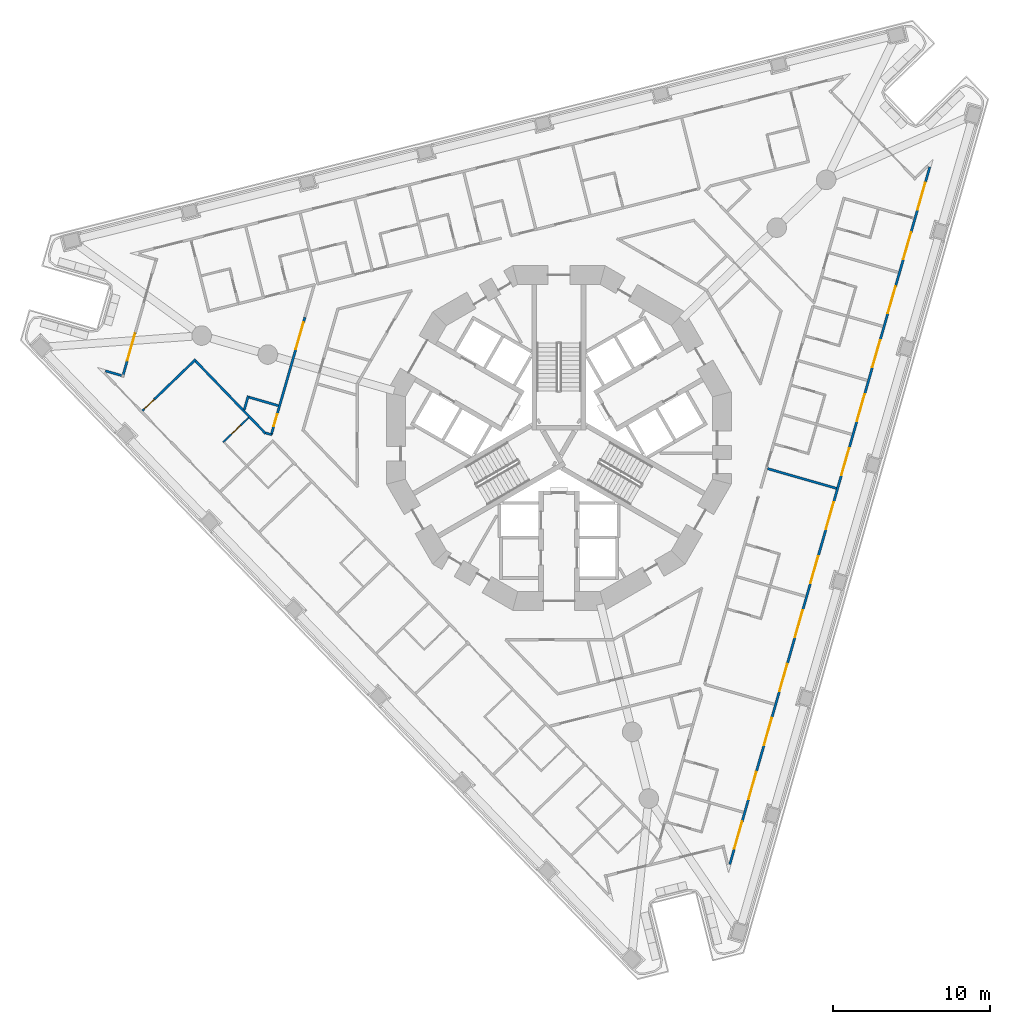
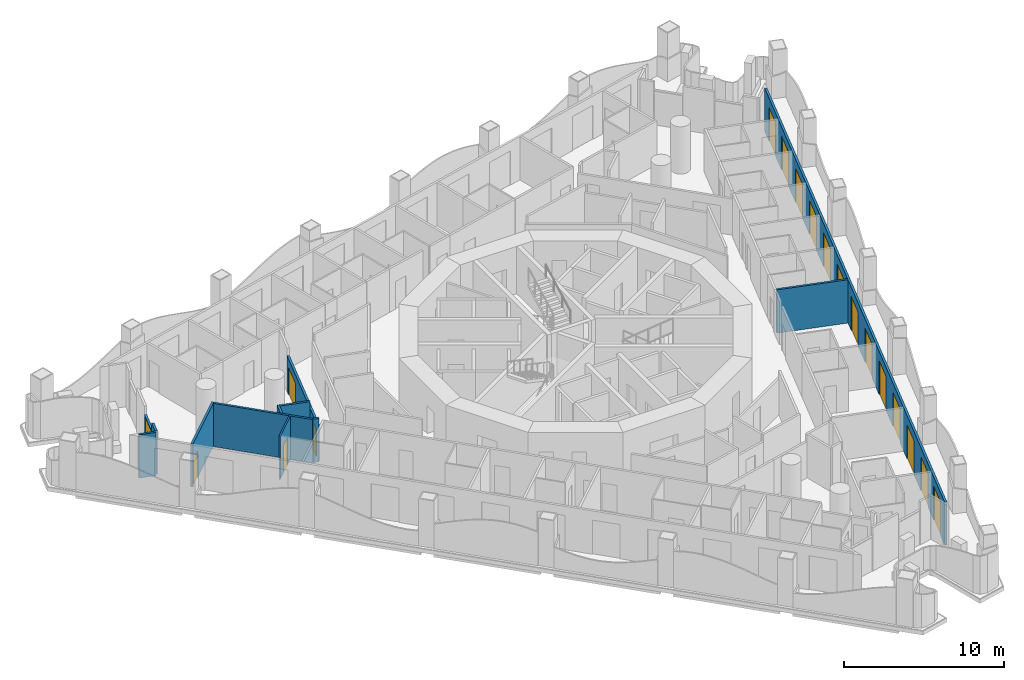
# One storey, part 6 of 20: 18 doors, 12 walls, 18 openings.
"""IFC4 building model written with IfcOpenShell, lengths in metres."""

from ifc_helpers import new_model, si_unit, direction, frame, frame_2d, origin, place, context, subcontext, project, spatial, polyline, rectangle, outline, extrude, material, layer, layer_set, type_object, element, fill, save


model = new_model("IFC4")

# Units and contexts
model_context = context("Model", 3, precision=1e-05, world=origin(), true_north=direction((0.0, 1.0)))
body_context = subcontext(model_context, "Body", "Model", "MODEL_VIEW")
ifc_project = project(units=[si_unit("LENGTHUNIT", "METRE"), si_unit("AREAUNIT", "SQUARE_METRE"), si_unit("VOLUMEUNIT", "CUBIC_METRE"), si_unit("PLANEANGLEUNIT", "RADIAN"), si_unit("MASSUNIT", "GRAM", prefix="KILO")], contexts=[model_context])

# Site, building, storey
site_placement = place(None, origin())
site = spatial("IfcSite", under=ifc_project, at=site_placement, CompositionType="ELEMENT")
building_placement = place(site_placement, origin())
building = spatial("IfcBuilding", under=site, at=building_placement, Name="Trine Commons Tower", CompositionType="ELEMENT")
storey_placement = place(building_placement, frame((0.0, 0.0, 112.5)))
storey = spatial("IfcBuildingStorey", under=building, at=storey_placement, Name="L28", CompositionType="ELEMENT", Elevation=112.5)

# Walls
ifc_material_1 = material(Name="Aluminium-framed insulated wall panel", Category="aluminium")
ifc_layer_1 = layer(ifc_material_1, 0.14990234375)
ifc_layer_set_1 = layer_set([ifc_layer_1], Name="Aluminium-framed insulated wall panel")
wall_type_1 = type_object("IfcWallType", Name="Glazed frame wall 150, EI 60", PredefinedType="SOLIDWALL", material=ifc_layer_set_1)
wall_1_placement = place(storey_placement, frame((50.88232421875, 66.82861328125, 0.0), z_axis=(0.0, 0.0, 1.0), x_axis=(0.961290718071, -0.275536123495, 0.0)))
element("IfcWall", 1, at=wall_1_placement, inside=storey, type_object=wall_type_1, Name="Glazed frame wall R1", PredefinedType="SOLIDWALL", context=body_context, shape_type="SweptSolid", body=[
    extrude(outline(polyline([(0.1494140625, 0.074951171875), (0.1494140625, -0.074951171875), (1.235107421875, -0.074951171875), (1.235107421875, 0.074951171875), (0.1494140625, 0.074951171875)])), origin(), (0.0, 0.0, 1.0), 3.300048828125),
])
wall_2_placement = place(storey_placement, frame((52.1318359375, 66.433837890625, 0.0), z_axis=(0.0, 0.0, 1.0), x_axis=(0.27588175927, 0.961191580749, 0.0)))
element("IfcWall", 2, at=wall_2_placement, inside=storey, type_object=wall_type_1, Name="Glazed frame wall P1.1", PredefinedType="SOLIDWALL", context=body_context, shape_type="SweptSolid", body=[
    extrude(outline(polyline([(0.110107421875, -0.074951171875), (1.0, -0.074951171875), (1.0, 0.074951171875), (0.110107421875, 0.074951171875), (0.110107421875, -0.074951171875)])), origin(), (0.0, 0.0, 1.0), 3.300048828125),
])

# Wall, opening, door
wall_3_placement = place(storey_placement, frame((52.40771484375, 67.39501953125, 0.0), z_axis=(0.0, 0.0, 1.0), x_axis=(0.275620468433, 0.961266538157, 0.0)))
wall_3 = element("IfcWall", 3, at=wall_3_placement, inside=storey, type_object=wall_type_1, Name="Glazed frame wall P1.2", PredefinedType="SOLIDWALL", context=body_context, shape_type="SweptSolid", body=[
    extrude(outline(polyline([(0.0, -0.074951171875), (1.89990234375, -0.074951171875), (1.89990234375, 0.074951171875), (0.0, 0.074951171875), (0.0, -0.074951171875)])), origin(), (0.0, 0.0, 1.0), 2.64990234375),
])
opening_1_placement = place(wall_3_placement, frame((0.050048828125, 0.0, 0.0)))
opening_1 = element("IfcOpeningElement", 4, at=opening_1_placement, cuts=wall_3, Name="Opening BD-3P1-01", PredefinedType="OPENING", context=body_context, shape_type="SweptSolid", body=[
    extrude(rectangle(XDim=1.800048828125, YDim=2.60009765625, at=frame_2d((0.89990234375, 1.300048828125))), frame((0.0, 0.0849609375, 0.0), z_axis=(0.0, -1.0, 0.0), x_axis=(1.0, 0.0, 0.0)), (0.0, 0.0, 1.0), 0.169921875),
])
ifc_material_2 = material(Name="Anodised aluminium frame with double glazing", Category="aluminium")
door_type_1 = type_object("IfcDoorType", Name="Sliding loggia door 1800x2600", OperationType="SLIDING_TO_LEFT", PredefinedType="DOOR", material=ifc_material_2)
door_1_placement = place(opening_1_placement, origin())
door_1 = element("IfcDoor", 5, at=door_1_placement, inside=storey, type_object=door_type_1, Name="Loggia door P1 1", OperationType="SLIDING_TO_LEFT", OverallHeight=2.60009765625, OverallWidth=1.800048828125, PredefinedType="DOOR", context=body_context, shape_type="SweptSolid", body=[
    extrude(rectangle(XDim=1.800048828125, YDim=2.60009765625, at=frame_2d((0.89990234375, 1.300048828125))), frame((0.0, 0.02490234375, 0.0), z_axis=(0.0, -1.0, 0.0), x_axis=(1.0, 0.0, 0.0)), (0.0, 0.0, 1.0), 0.050048828125),
])
fill(opening_1, door_1)

# Wall, openings, doors
wall_4_placement = place(storey_placement, frame((103.735107421875, 79.95703125, 0.0), z_axis=(0.0, 0.0, 1.0), x_axis=(-0.275637625225, -0.961261618687, 0.0)))
wall_4 = element("IfcWall", 6, at=wall_4_placement, inside=storey, type_object=wall_type_1, Name="Glazed frame wall F2", PredefinedType="SOLIDWALL", context=body_context, shape_type="SweptSolid", body=[
    extrude(outline(polyline([(0.1494140625, 0.074951171875), (0.1494140625, -0.074951171875), (46.496826171875, -0.074951171875), (46.496826171875, 0.074951171875), (0.1494140625, 0.074951171875)])), origin(), (0.0, 0.0, 1.0), 3.300048828125),
])
opening_2_placement = place(wall_4_placement, frame((1.194091796875, 0.0, 0.0)))
opening_2 = element("IfcOpeningElement", 7, at=opening_2_placement, cuts=wall_4, Name="Opening BD-3F2-01", PredefinedType="OPENING", context=body_context, shape_type="SweptSolid", body=[
    extrude(rectangle(XDim=1.800048828125, YDim=2.60009765625, at=frame_2d((0.89990234375, 1.300048828125))), frame((0.0, 0.0849609375, 0.0), z_axis=(0.0, -1.0, 0.0), x_axis=(1.0, 0.0, 0.0)), (0.0, 0.0, 1.0), 0.169921875),
])
opening_3_placement = place(wall_4_placement, frame((4.482421875, 0.0, 0.0)))
opening_3 = element("IfcOpeningElement", 8, at=opening_3_placement, cuts=wall_4, Name="Opening BD-3F2-02", PredefinedType="OPENING", context=body_context, shape_type="SweptSolid", body=[
    extrude(rectangle(XDim=1.800048828125, YDim=2.60009765625, at=frame_2d((0.89990234375, 1.300048828125))), frame((0.0, 0.0849609375, 0.0), z_axis=(0.0, -1.0, 0.0), x_axis=(1.0, 0.0, 0.0)), (0.0, 0.0, 1.0), 0.169921875),
])
opening_4_placement = place(wall_4_placement, frame((8.070556640625, 0.0, 0.0)))
opening_4 = element("IfcOpeningElement", 9, at=opening_4_placement, cuts=wall_4, Name="Opening BD-3F2-03", PredefinedType="OPENING", context=body_context, shape_type="SweptSolid", body=[
    extrude(rectangle(XDim=1.800048828125, YDim=2.60009765625, at=frame_2d((0.89990234375, 1.300048828125))), frame((0.0, 0.0849609375, 0.0), z_axis=(0.0, -1.0, 0.0), x_axis=(1.0, 0.0, 0.0)), (0.0, 0.0, 1.0), 0.169921875),
])
opening_5_placement = place(wall_4_placement, frame((11.65869140625, 0.0, 0.0)))
opening_5 = element("IfcOpeningElement", 10, at=opening_5_placement, cuts=wall_4, Name="Opening BD-3F2-04", PredefinedType="OPENING", context=body_context, shape_type="SweptSolid", body=[
    extrude(rectangle(XDim=1.800048828125, YDim=2.60009765625, at=frame_2d((0.89990234375, 1.300048828125))), frame((0.0, 0.0849609375, 0.0), z_axis=(0.0, -1.0, 0.0), x_axis=(1.0, 0.0, 0.0)), (0.0, 0.0, 1.0), 0.169921875),
])
opening_6_placement = place(wall_4_placement, frame((15.246826171875, 0.0, 0.0)))
opening_6 = element("IfcOpeningElement", 11, at=opening_6_placement, cuts=wall_4, Name="Opening BD-3F2-05", PredefinedType="OPENING", context=body_context, shape_type="SweptSolid", body=[
    extrude(rectangle(XDim=1.800048828125, YDim=2.60009765625, at=frame_2d((0.89990234375, 1.300048828125))), frame((0.0, 0.0849609375, 0.0), z_axis=(0.0, -1.0, 0.0), x_axis=(1.0, 0.0, 0.0)), (0.0, 0.0, 1.0), 0.169921875),
])
opening_7_placement = place(wall_4_placement, frame((18.835205078125, 0.0, 0.0)))
opening_7 = element("IfcOpeningElement", 12, at=opening_7_placement, cuts=wall_4, Name="Opening BD-3F2-06", PredefinedType="OPENING", context=body_context, shape_type="SweptSolid", body=[
    extrude(rectangle(XDim=1.800048828125, YDim=2.60009765625, at=frame_2d((0.89990234375, 1.300048828125))), frame((0.0, 0.0849609375, 0.0), z_axis=(0.0, -1.0, 0.0), x_axis=(1.0, 0.0, 0.0)), (0.0, 0.0, 1.0), 0.169921875),
])
opening_8_placement = place(wall_4_placement, frame((22.42333984375, 0.0, 0.0)))
opening_8 = element("IfcOpeningElement", 13, at=opening_8_placement, cuts=wall_4, Name="Opening BD-3F2-07", PredefinedType="OPENING", context=body_context, shape_type="SweptSolid", body=[
    extrude(rectangle(XDim=1.800048828125, YDim=2.60009765625, at=frame_2d((0.89990234375, 1.300048828125))), frame((0.0, 0.0849609375, 0.0), z_axis=(0.0, -1.0, 0.0), x_axis=(1.0, 0.0, 0.0)), (0.0, 0.0, 1.0), 0.169921875),
])
opening_9_placement = place(wall_4_placement, frame((26.011474609375, 0.0, 0.0)))
opening_9 = element("IfcOpeningElement", 14, at=opening_9_placement, cuts=wall_4, Name="Opening BD-3F2-08", PredefinedType="OPENING", context=body_context, shape_type="SweptSolid", body=[
    extrude(rectangle(XDim=1.800048828125, YDim=2.60009765625, at=frame_2d((0.89990234375, 1.300048828125))), frame((0.0, 0.0849609375, 0.0), z_axis=(0.0, -1.0, 0.0), x_axis=(1.0, 0.0, 0.0)), (0.0, 0.0, 1.0), 0.169921875),
])
opening_10_placement = place(wall_4_placement, frame((29.599609375, 0.0, 0.0)))
opening_10 = element("IfcOpeningElement", 15, at=opening_10_placement, cuts=wall_4, Name="Opening BD-3F2-09", PredefinedType="OPENING", context=body_context, shape_type="SweptSolid", body=[
    extrude(rectangle(XDim=1.800048828125, YDim=2.60009765625, at=frame_2d((0.89990234375, 1.300048828125))), frame((0.0, 0.0849609375, 0.0), z_axis=(0.0, -1.0, 0.0), x_axis=(1.0, 0.0, 0.0)), (0.0, 0.0, 1.0), 0.169921875),
])
opening_11_placement = place(wall_4_placement, frame((33.18798828125, 0.0, 0.0)))
opening_11 = element("IfcOpeningElement", 16, at=opening_11_placement, cuts=wall_4, Name="Opening BD-3F2-10", PredefinedType="OPENING", context=body_context, shape_type="SweptSolid", body=[
    extrude(rectangle(XDim=1.800048828125, YDim=2.60009765625, at=frame_2d((0.89990234375, 1.300048828125))), frame((0.0, 0.0849609375, 0.0), z_axis=(0.0, -1.0, 0.0), x_axis=(1.0, 0.0, 0.0)), (0.0, 0.0, 1.0), 0.169921875),
])
opening_12_placement = place(wall_4_placement, frame((36.776123046875, 0.0, 0.0)))
opening_12 = element("IfcOpeningElement", 17, at=opening_12_placement, cuts=wall_4, Name="Opening BD-3F2-11", PredefinedType="OPENING", context=body_context, shape_type="SweptSolid", body=[
    extrude(rectangle(XDim=1.800048828125, YDim=2.60009765625, at=frame_2d((0.89990234375, 1.300048828125))), frame((0.0, 0.0849609375, 0.0), z_axis=(0.0, -1.0, 0.0), x_axis=(1.0, 0.0, 0.0)), (0.0, 0.0, 1.0), 0.169921875),
])
opening_13_placement = place(wall_4_placement, frame((40.3642578125, 0.0, 0.0)))
opening_13 = element("IfcOpeningElement", 18, at=opening_13_placement, cuts=wall_4, Name="Opening BD-3F2-12", PredefinedType="OPENING", context=body_context, shape_type="SweptSolid", body=[
    extrude(rectangle(XDim=1.800048828125, YDim=2.60009765625, at=frame_2d((0.89990234375, 1.300048828125))), frame((0.0, 0.0849609375, 0.0), z_axis=(0.0, -1.0, 0.0), x_axis=(1.0, 0.0, 0.0)), (0.0, 0.0, 1.0), 0.169921875),
])
opening_14_placement = place(wall_4_placement, frame((43.652587890625, 0.0, 0.0)))
opening_14 = element("IfcOpeningElement", 19, at=opening_14_placement, cuts=wall_4, Name="Opening BD-3F2-13", PredefinedType="OPENING", context=body_context, shape_type="SweptSolid", body=[
    extrude(rectangle(XDim=1.800048828125, YDim=2.60009765625, at=frame_2d((0.89990234375, 1.300048828125))), frame((0.0, 0.0849609375, 0.0), z_axis=(0.0, -1.0, 0.0), x_axis=(1.0, 0.0, 0.0)), (0.0, 0.0, 1.0), 0.169921875),
])
door_2_placement = place(opening_2_placement, origin())
door_2 = element("IfcDoor", 20, at=door_2_placement, inside=storey, type_object=door_type_1, Name="Loggia door F2 1", OperationType="SLIDING_TO_LEFT", OverallHeight=2.60009765625, OverallWidth=1.800048828125, PredefinedType="DOOR", context=body_context, shape_type="SweptSolid", body=[
    extrude(rectangle(XDim=1.800048828125, YDim=2.60009765625, at=frame_2d((0.89990234375, 1.300048828125))), frame((0.0, 0.02490234375, 0.0), z_axis=(0.0, -1.0, 0.0), x_axis=(1.0, 0.0, 0.0)), (0.0, 0.0, 1.0), 0.050048828125),
])
fill(opening_2, door_2)
door_3_placement = place(opening_3_placement, origin())
door_3 = element("IfcDoor", 21, at=door_3_placement, inside=storey, type_object=door_type_1, Name="Loggia door F2 2", OperationType="SLIDING_TO_LEFT", OverallHeight=2.60009765625, OverallWidth=1.800048828125, PredefinedType="DOOR", context=body_context, shape_type="SweptSolid", body=[
    extrude(rectangle(XDim=1.800048828125, YDim=2.60009765625, at=frame_2d((0.89990234375, 1.300048828125))), frame((0.0, 0.02490234375, 0.0), z_axis=(0.0, -1.0, 0.0), x_axis=(1.0, 0.0, 0.0)), (0.0, 0.0, 1.0), 0.050048828125),
])
fill(opening_3, door_3)
door_4_placement = place(opening_4_placement, origin())
door_4 = element("IfcDoor", 22, at=door_4_placement, inside=storey, type_object=door_type_1, Name="Loggia door F2 3", OperationType="SLIDING_TO_LEFT", OverallHeight=2.60009765625, OverallWidth=1.800048828125, PredefinedType="DOOR", context=body_context, shape_type="SweptSolid", body=[
    extrude(rectangle(XDim=1.800048828125, YDim=2.60009765625, at=frame_2d((0.89990234375, 1.300048828125))), frame((0.0, 0.02490234375, 0.0), z_axis=(0.0, -1.0, 0.0), x_axis=(1.0, 0.0, 0.0)), (0.0, 0.0, 1.0), 0.050048828125),
])
fill(opening_4, door_4)
door_5_placement = place(opening_5_placement, origin())
door_5 = element("IfcDoor", 23, at=door_5_placement, inside=storey, type_object=door_type_1, Name="Loggia door F2 4", OperationType="SLIDING_TO_LEFT", OverallHeight=2.60009765625, OverallWidth=1.800048828125, PredefinedType="DOOR", context=body_context, shape_type="SweptSolid", body=[
    extrude(rectangle(XDim=1.800048828125, YDim=2.60009765625, at=frame_2d((0.89990234375, 1.300048828125))), frame((0.0, 0.02490234375, 0.0), z_axis=(0.0, -1.0, 0.0), x_axis=(1.0, 0.0, 0.0)), (0.0, 0.0, 1.0), 0.050048828125),
])
fill(opening_5, door_5)
door_6_placement = place(opening_6_placement, origin())
door_6 = element("IfcDoor", 24, at=door_6_placement, inside=storey, type_object=door_type_1, Name="Loggia door F2 5", OperationType="SLIDING_TO_LEFT", OverallHeight=2.60009765625, OverallWidth=1.800048828125, PredefinedType="DOOR", context=body_context, shape_type="SweptSolid", body=[
    extrude(rectangle(XDim=1.800048828125, YDim=2.60009765625, at=frame_2d((0.89990234375, 1.300048828125))), frame((0.0, 0.02490234375, 0.0), z_axis=(0.0, -1.0, 0.0), x_axis=(1.0, 0.0, 0.0)), (0.0, 0.0, 1.0), 0.050048828125),
])
fill(opening_6, door_6)
door_7_placement = place(opening_7_placement, origin())
door_7 = element("IfcDoor", 25, at=door_7_placement, inside=storey, type_object=door_type_1, Name="Loggia door F2 6", OperationType="SLIDING_TO_LEFT", OverallHeight=2.60009765625, OverallWidth=1.800048828125, PredefinedType="DOOR", context=body_context, shape_type="SweptSolid", body=[
    extrude(rectangle(XDim=1.800048828125, YDim=2.60009765625, at=frame_2d((0.89990234375, 1.300048828125))), frame((0.0, 0.02490234375, 0.0), z_axis=(0.0, -1.0, 0.0), x_axis=(1.0, 0.0, 0.0)), (0.0, 0.0, 1.0), 0.050048828125),
])
fill(opening_7, door_7)
door_8_placement = place(opening_8_placement, origin())
door_8 = element("IfcDoor", 26, at=door_8_placement, inside=storey, type_object=door_type_1, Name="Loggia door F2 7", OperationType="SLIDING_TO_LEFT", OverallHeight=2.60009765625, OverallWidth=1.800048828125, PredefinedType="DOOR", context=body_context, shape_type="SweptSolid", body=[
    extrude(rectangle(XDim=1.800048828125, YDim=2.60009765625, at=frame_2d((0.89990234375, 1.300048828125))), frame((0.0, 0.02490234375, 0.0), z_axis=(0.0, -1.0, 0.0), x_axis=(1.0, 0.0, 0.0)), (0.0, 0.0, 1.0), 0.050048828125),
])
fill(opening_8, door_8)
door_9_placement = place(opening_9_placement, origin())
door_9 = element("IfcDoor", 27, at=door_9_placement, inside=storey, type_object=door_type_1, Name="Loggia door F2 8", OperationType="SLIDING_TO_LEFT", OverallHeight=2.60009765625, OverallWidth=1.800048828125, PredefinedType="DOOR", context=body_context, shape_type="SweptSolid", body=[
    extrude(rectangle(XDim=1.800048828125, YDim=2.60009765625, at=frame_2d((0.89990234375, 1.300048828125))), frame((0.0, 0.02490234375, 0.0), z_axis=(0.0, -1.0, 0.0), x_axis=(1.0, 0.0, 0.0)), (0.0, 0.0, 1.0), 0.050048828125),
])
fill(opening_9, door_9)
door_10_placement = place(opening_10_placement, origin())
door_10 = element("IfcDoor", 28, at=door_10_placement, inside=storey, type_object=door_type_1, Name="Loggia door F2 9", OperationType="SLIDING_TO_LEFT", OverallHeight=2.60009765625, OverallWidth=1.800048828125, PredefinedType="DOOR", context=body_context, shape_type="SweptSolid", body=[
    extrude(rectangle(XDim=1.800048828125, YDim=2.60009765625, at=frame_2d((0.89990234375, 1.300048828125))), frame((0.0, 0.02490234375, 0.0), z_axis=(0.0, -1.0, 0.0), x_axis=(1.0, 0.0, 0.0)), (0.0, 0.0, 1.0), 0.050048828125),
])
fill(opening_10, door_10)
door_11_placement = place(opening_11_placement, origin())
door_11 = element("IfcDoor", 29, at=door_11_placement, inside=storey, type_object=door_type_1, Name="Loggia door F2 10", OperationType="SLIDING_TO_LEFT", OverallHeight=2.60009765625, OverallWidth=1.800048828125, PredefinedType="DOOR", context=body_context, shape_type="SweptSolid", body=[
    extrude(rectangle(XDim=1.800048828125, YDim=2.60009765625, at=frame_2d((0.89990234375, 1.300048828125))), frame((0.0, 0.02490234375, 0.0), z_axis=(0.0, -1.0, 0.0), x_axis=(1.0, 0.0, 0.0)), (0.0, 0.0, 1.0), 0.050048828125),
])
fill(opening_11, door_11)
door_12_placement = place(opening_12_placement, origin())
door_12 = element("IfcDoor", 30, at=door_12_placement, inside=storey, type_object=door_type_1, Name="Loggia door F2 11", OperationType="SLIDING_TO_LEFT", OverallHeight=2.60009765625, OverallWidth=1.800048828125, PredefinedType="DOOR", context=body_context, shape_type="SweptSolid", body=[
    extrude(rectangle(XDim=1.800048828125, YDim=2.60009765625, at=frame_2d((0.89990234375, 1.300048828125))), frame((0.0, 0.02490234375, 0.0), z_axis=(0.0, -1.0, 0.0), x_axis=(1.0, 0.0, 0.0)), (0.0, 0.0, 1.0), 0.050048828125),
])
fill(opening_12, door_12)
door_13_placement = place(opening_13_placement, origin())
door_13 = element("IfcDoor", 31, at=door_13_placement, inside=storey, type_object=door_type_1, Name="Loggia door F2 12", OperationType="SLIDING_TO_LEFT", OverallHeight=2.60009765625, OverallWidth=1.800048828125, PredefinedType="DOOR", context=body_context, shape_type="SweptSolid", body=[
    extrude(rectangle(XDim=1.800048828125, YDim=2.60009765625, at=frame_2d((0.89990234375, 1.300048828125))), frame((0.0, 0.02490234375, 0.0), z_axis=(0.0, -1.0, 0.0), x_axis=(1.0, 0.0, 0.0)), (0.0, 0.0, 1.0), 0.050048828125),
])
fill(opening_13, door_13)
door_14_placement = place(opening_14_placement, origin())
door_14 = element("IfcDoor", 32, at=door_14_placement, inside=storey, type_object=door_type_1, Name="Loggia door F2 13", OperationType="SLIDING_TO_LEFT", OverallHeight=2.60009765625, OverallWidth=1.800048828125, PredefinedType="DOOR", context=body_context, shape_type="SweptSolid", body=[
    extrude(rectangle(XDim=1.800048828125, YDim=2.60009765625, at=frame_2d((0.89990234375, 1.300048828125))), frame((0.0, 0.02490234375, 0.0), z_axis=(0.0, -1.0, 0.0), x_axis=(1.0, 0.0, 0.0)), (0.0, 0.0, 1.0), 0.050048828125),
])
fill(opening_14, door_14)

# Wall, opening, door
ifc_material_3 = material(Name="Gypsum plasterboard on steel stud", Category="steel")
ifc_layer_2 = layer(ifc_material_3, 0.14990234375)
ifc_layer_set_2 = layer_set([ifc_layer_2], Name="Gypsum plasterboard on steel stud")
wall_type_2 = type_object("IfcWallType", Name="Unit and corridor wall 150 mm, EI 60", PredefinedType="PARTITIONING", material=ifc_layer_set_2)
wall_5_placement = place(storey_placement, frame((53.393798828125, 64.24169921875, 0.0), z_axis=(0.0, 0.0, 1.0), x_axis=(0.719250925674, 0.694750391088, 0.0)))
wall_5 = element("IfcWall", 33, at=wall_5_placement, inside=storey, type_object=wall_type_2, Name="Partition 001", PredefinedType="PARTITIONING", context=body_context, shape_type="SweptSolid", body=[
    extrude(rectangle(XDim=4.723388671875, YDim=0.14990234375, at=frame_2d((2.36181640625, 0.0))), origin(), (0.0, 0.0, 1.0), 3.300048828125),
])
opening_15_placement = place(wall_5_placement, frame((0.14990234375, 0.0, 0.0)))
opening_15 = element("IfcOpeningElement", 34, at=opening_15_placement, cuts=wall_5, Name="Opening D-3C33", PredefinedType="OPENING", context=body_context, shape_type="SweptSolid", body=[
    extrude(rectangle(XDim=0.89990234375, YDim=2.10009765625, at=frame_2d((0.449951171875, 1.050048828125))), frame((0.0, 0.0849609375, 0.0), z_axis=(0.0, -1.0, 0.0), x_axis=(1.0, 0.0, 0.0)), (0.0, 0.0, 1.0), 0.169921875),
])
ifc_material_4 = material(Name="Timber fire door set", Category="wood")
door_type_2 = type_object("IfcDoorType", Name="Bedroom door 900 x 2100, FD30S", OperationType="NOTDEFINED", PredefinedType="DOOR", material=ifc_material_4)
door_15_placement = place(opening_15_placement, frame((0.89990234375, 0.0, 0.0), z_axis=(0.0, 0.0, 1.0), x_axis=(-1.0, 0.0, 0.0)))
door_15 = element("IfcDoor", 35, at=door_15_placement, inside=storey, type_object=door_type_2, Name="Door D-3C33", OperationType="SINGLE_SWING_RIGHT", OverallHeight=2.10009765625, OverallWidth=0.89990234375, PredefinedType="DOOR", context=body_context, shape_type="SweptSolid", body=[
    extrude(rectangle(XDim=0.89990234375, YDim=2.10009765625, at=frame_2d((0.449951171875, 1.050048828125))), frame((0.0, 0.02490234375, 0.0), z_axis=(0.0, -1.0, 0.0), x_axis=(1.0, 0.0, 0.0)), (0.0, 0.0, 1.0), 0.050048828125),
])
fill(opening_15, door_15)

# Walls
wall_6_placement = place(storey_placement, frame((56.7890625, 67.4169921875, 0.0), z_axis=(0.0, 0.0, 1.0), x_axis=(0.694658112977, -0.719340048986, 0.0)))
element("IfcWall", 36, at=wall_6_placement, inside=storey, type_object=wall_type_2, Name="Partition 003", PredefinedType="PARTITIONING", context=body_context, shape_type="SweptSolid", body=[
    extrude(rectangle(XDim=6.439453125, YDim=0.14990234375, at=frame_2d((3.2197265625, 0.0))), origin(), (0.0, 0.0, 1.0), 3.300048828125),
])
wall_7_placement = place(storey_placement, frame((59.8935546875, 64.295166015625, 0.0), z_axis=(0.0, 0.0, 1.0), x_axis=(0.275099226296, 0.96141583911, 0.0)))
element("IfcWall", 37, at=wall_7_placement, inside=storey, type_object=wall_type_2, Name="Partition 011", PredefinedType="PARTITIONING", context=body_context, shape_type="SweptSolid", body=[
    extrude(rectangle(XDim=0.93798828125, YDim=0.14990234375, at=frame_2d((0.468994140625, 0.0))), origin(), (0.0, 0.0, 1.0), 3.300048828125),
])
wall_8_placement = place(storey_placement, frame((60.203125, 65.104248046875, 0.0), z_axis=(0.0, 0.0, 1.0), x_axis=(0.961258970078, -0.275646861845, 0.0)))
element("IfcWall", 38, at=wall_8_placement, inside=storey, type_object=wall_type_2, Name="Partition 013", PredefinedType="PARTITIONING", context=body_context, shape_type="SweptSolid", body=[
    extrude(rectangle(XDim=1.9501953125, YDim=0.14990234375, at=frame_2d((0.97509765625, 0.0))), origin(), (0.0, 0.0, 1.0), 3.300048828125),
])
wall_9_placement = place(storey_placement, frame((61.261962890625, 62.823974609375, 0.0), z_axis=(0.0, 0.0, 1.0), x_axis=(0.960829843292, -0.2771389764, 0.0)))
element("IfcWall", 39, at=wall_9_placement, inside=storey, type_object=wall_type_2, Name="Partition 015", PredefinedType="PARTITIONING", context=body_context, shape_type="SweptSolid", body=[
    extrude(rectangle(XDim=0.39990234375, YDim=0.14990234375, at=frame_2d((0.199951171875, 0.0))), origin(), (0.0, 0.0, 1.0), 3.300048828125),
])

# Wall, openings, doors
wall_10_placement = place(storey_placement, frame((61.625, 62.715087890625, 0.0), z_axis=(0.0, 0.0, 1.0), x_axis=(0.275614307244, 0.961268304711, 0.0)))
wall_10 = element("IfcWall", 40, at=wall_10_placement, inside=storey, type_object=wall_type_2, Name="Partition 017", PredefinedType="PARTITIONING", context=body_context, shape_type="SweptSolid", body=[
    extrude(rectangle(XDim=7.796875, YDim=0.14990234375, at=frame_2d((3.8984375, 0.0))), origin(), (0.0, 0.0, 1.0), 2.75),
])
opening_16_placement = place(wall_10_placement, frame((5.67919921875, 0.0, 0.0)))
opening_16 = element("IfcOpeningElement", 41, at=opening_16_placement, cuts=wall_10, Name="Opening D-3C03", PredefinedType="OPENING", context=body_context, shape_type="SweptSolid", body=[
    extrude(rectangle(XDim=1.800048828125, YDim=2.10009765625, at=frame_2d((0.89990234375, 1.050048828125))), frame((0.0, 0.0849609375, 0.0), z_axis=(0.0, -1.0, 0.0), x_axis=(1.0, 0.0, 0.0)), (0.0, 0.0, 1.0), 0.169921875),
])
opening_17_placement = place(wall_10_placement, frame((0.554443359375, 0.0, 0.0)))
opening_17 = element("IfcOpeningElement", 42, at=opening_17_placement, cuts=wall_10, Name="Opening D-3C06", PredefinedType="OPENING", context=body_context, shape_type="SweptSolid", body=[
    extrude(rectangle(XDim=0.800048828125, YDim=2.10009765625, at=frame_2d((0.39990234375, 1.050048828125))), frame((0.0, 0.0849609375, 0.0), z_axis=(0.0, -1.0, 0.0), x_axis=(1.0, 0.0, 0.0)), (0.0, 0.0, 1.0), 0.169921875),
])
door_type_3 = type_object("IfcDoorType", Name="Cluster entrance door 1800 x 2100, double leaf, FD30S", OperationType="DOUBLE_DOOR_DOUBLE_SWING", PredefinedType="DOOR", material=ifc_material_4)
door_16_placement = place(opening_16_placement, origin())
door_16 = element("IfcDoor", 43, at=door_16_placement, inside=storey, type_object=door_type_3, Name="Door D-3C03", OperationType="DOUBLE_DOOR_DOUBLE_SWING", OverallHeight=2.10009765625, OverallWidth=1.800048828125, PredefinedType="DOOR", context=body_context, shape_type="SweptSolid", body=[
    extrude(rectangle(XDim=1.800048828125, YDim=2.10009765625, at=frame_2d((0.89990234375, 1.050048828125))), frame((0.0, 0.02490234375, 0.0), z_axis=(0.0, -1.0, 0.0), x_axis=(1.0, 0.0, 0.0)), (0.0, 0.0, 1.0), 0.050048828125),
])
fill(opening_16, door_16)
ifc_material_5 = material(Name="Painted timber", Category="wood")
door_type_4 = type_object("IfcDoorType", Name="Toilet door 800 x 2100, NOT RATED", OperationType="NOTDEFINED", PredefinedType="DOOR", material=ifc_material_5)
door_17_placement = place(opening_17_placement, origin())
door_17 = element("IfcDoor", 44, at=door_17_placement, inside=storey, type_object=door_type_4, Name="Door D-3C06", OperationType="SINGLE_SWING_LEFT", OverallHeight=2.10009765625, OverallWidth=0.800048828125, PredefinedType="DOOR", context=body_context, shape_type="SweptSolid", body=[
    extrude(rectangle(XDim=0.800048828125, YDim=2.10009765625, at=frame_2d((0.39990234375, 1.050048828125))), frame((0.0, 0.02490234375, 0.0), z_axis=(0.0, -1.0, 0.0), x_axis=(1.0, 0.0, 0.0)), (0.0, 0.0, 1.0), 0.050048828125),
])
fill(opening_17, door_17)

# Wall
wall_11_placement = place(storey_placement, frame((93.3330078125, 60.543212890625, 0.0), z_axis=(0.0, 0.0, 1.0), x_axis=(0.961269673231, -0.275609534171, 0.0)))
element("IfcWall", 45, at=wall_11_placement, inside=storey, type_object=wall_type_2, Name="Partition 131", PredefinedType="PARTITIONING", context=body_context, shape_type="SweptSolid", body=[
    extrude(rectangle(XDim=4.572509765625, YDim=0.14990234375, at=frame_2d((2.2861328125, 0.0))), origin(), (0.0, 0.0, 1.0), 3.300048828125),
])

# Wall, opening, door
ifc_layer_3 = layer(ifc_material_3, 0.10009765625)
ifc_layer_set_3 = layer_set([ifc_layer_3], Name="Gypsum plasterboard on steel stud")
wall_type_3 = type_object("IfcWallType", Name="Unit partition 100 mm, no rating", PredefinedType="PARTITIONING", material=ifc_layer_set_3)
wall_12_placement = place(storey_placement, frame((58.5380859375, 62.222412109375, 0.0), z_axis=(0.0, 0.0, 1.0), x_axis=(0.719390368222, 0.694606002068, 0.0)))
wall_12 = element("IfcWall", 46, at=wall_12_placement, inside=storey, type_object=wall_type_3, Name="Partition 007", PredefinedType="PARTITIONING", context=body_context, shape_type="SweptSolid", body=[
    extrude(rectangle(XDim=2.275390625, YDim=0.10009765625, at=frame_2d((1.1376953125, 0.0))), origin(), (0.0, 0.0, 1.0), 3.300048828125),
])
opening_18_placement = place(wall_12_placement, frame((0.7626953125, 0.0, 0.0)))
opening_18 = element("IfcOpeningElement", 47, at=opening_18_placement, cuts=wall_12, Name="Opening D-3C67", PredefinedType="OPENING", context=body_context, shape_type="SweptSolid", body=[
    extrude(rectangle(XDim=0.800048828125, YDim=2.10009765625, at=frame_2d((0.39990234375, 1.050048828125))), frame((0.0, 0.06005859375, 0.0), z_axis=(0.0, -1.0, 0.0), x_axis=(1.0, 0.0, 0.0)), (0.0, 0.0, 1.0), 0.1201171875),
])
door_type_5 = type_object("IfcDoorType", Name="Internal door 800 x 2100, NOT RATED", OperationType="NOTDEFINED", PredefinedType="DOOR", material=ifc_material_5)
door_18_placement = place(opening_18_placement, origin())
door_18 = element("IfcDoor", 48, at=door_18_placement, inside=storey, type_object=door_type_5, Name="Door D-3C67", OperationType="SINGLE_SWING_RIGHT", OverallHeight=2.10009765625, OverallWidth=0.800048828125, PredefinedType="DOOR", context=body_context, shape_type="SweptSolid", body=[
    extrude(rectangle(XDim=0.800048828125, YDim=2.10009765625, at=frame_2d((0.39990234375, 1.050048828125))), frame((0.0, 0.02490234375, 0.0), z_axis=(0.0, -1.0, 0.0), x_axis=(1.0, 0.0, 0.0)), (0.0, 0.0, 1.0), 0.050048828125),
])
fill(opening_18, door_18)

save(model, "model.ifc")
